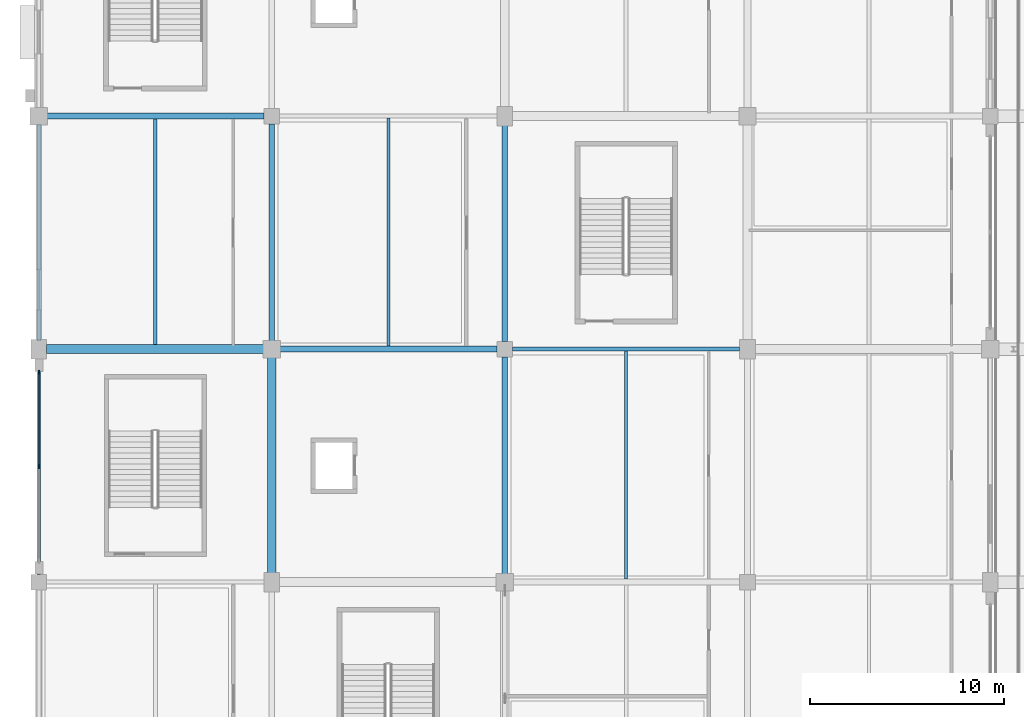
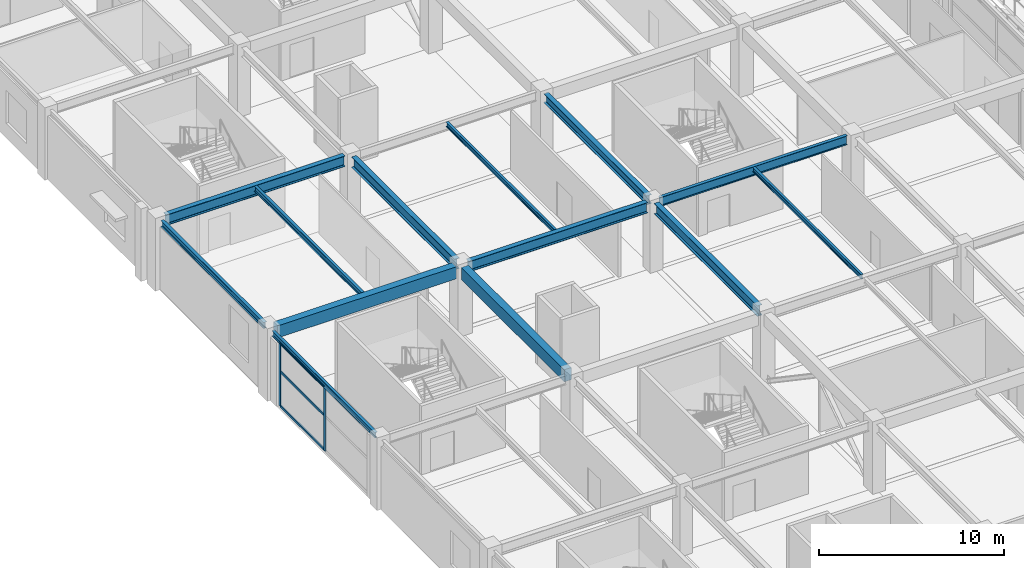
# One storey, part 18 of 134: 13 beams, 5 members, 1 element without a shape of its own.
"""IFC4 building model written with IfcOpenShell, lengths in metres."""

from ifc_helpers import new_model, si_unit, direction, frame, origin, origin_2d, place, context, subcontext, project, spatial, rectangle, i_section, extrude, material, layer, layer_set, material_profile, profile_set, type_object, element, aggregate, save


model = new_model("IFC4")

# Units and contexts
model_context = context("Model", 3, precision=1e-05, world=origin(), true_north=direction((0.0, 1.0)))
body_context = subcontext(model_context, "Body", "Model", "MODEL_VIEW")
ifc_project = project(units=[si_unit("LENGTHUNIT", "METRE"), si_unit("AREAUNIT", "SQUARE_METRE"), si_unit("VOLUMEUNIT", "CUBIC_METRE"), si_unit("PLANEANGLEUNIT", "RADIAN"), si_unit("MASSUNIT", "GRAM", prefix="KILO")], contexts=[model_context])

# Site, building, storey
site_placement = place(None, origin())
site = spatial("IfcSite", under=ifc_project, at=site_placement, CompositionType="ELEMENT")
building_placement = place(site_placement, origin())
building = spatial("IfcBuilding", under=site, at=building_placement, Name="Kazenohara Klinker Stadium", CompositionType="ELEMENT")
storey_placement = place(building_placement, frame((0.0, 0.0, 5.39990234375)))
storey = spatial("IfcBuildingStorey", under=building, at=storey_placement, Name="L01", CompositionType="ELEMENT", Elevation=5.39990234375)

# Beams
ifc_material_1 = material(Name="Steel S355", Category="steel")
ifc_material_profile_1 = material_profile(ifc_material_1, i_section(OverallWidth=0.175048828125, OverallDepth=0.35009765625, WebThickness=0.007080078125, FlangeThickness=0.010986328125, FilletRadius=0.012939453125, at=origin_2d()), Name="H-350x175x7x11")
ifc_profile_set_1 = profile_set([ifc_material_profile_1], Name="Steel S355")
beam_type_1 = type_object("IfcBeamType", Name="BM-JST04", PredefinedType="JOIST", material=ifc_profile_set_1)
beam_1_placement = place(storey_placement, frame((6.0, 72.22509765625, 4.375), z_axis=(0.0, 1.0, 0.0), x_axis=(-1.0, 0.0, 0.0)))
element("IfcBeam", 1, at=beam_1_placement, inside=storey, type_object=beam_type_1, Name="Secondary floor joist SJ04 L01 1/G", PredefinedType="JOIST", context=body_context, shape_type="SweptSolid", body=[
    extrude(i_section(OverallWidth=0.175048828125, OverallDepth=0.35009765625, WebThickness=0.007080078125, FlangeThickness=0.010986328125, FilletRadius=0.012939453125, at=origin_2d()), origin(), (0.0, 0.0, 1.0), 11.625),
])
ifc_material_profile_2 = material_profile(ifc_material_1, i_section(OverallWidth=0.14990234375, OverallDepth=0.300048828125, WebThickness=0.006591796875, FlangeThickness=0.009033203125, FilletRadius=0.012939453125, at=origin_2d()), Name="H-300x150x6.5x9")
ifc_profile_set_2 = profile_set([ifc_material_profile_2], Name="Steel S355")
beam_type_2 = type_object("IfcBeamType", Name="BM-JST05", PredefinedType="JOIST", material=ifc_profile_set_2)
for number, where, z_axis, x_axis, name in (
    (2, (18.0, 72.14990234375, 4.400146484375), (0.0, 1.0, 0.0), (-1.0, 0.0, 0.0), "Secondary floor joist SJ05 L01 2/G"),
    (3, (30.25, 60.14990234375, 4.400146484375), (0.0, 1.0, 0.0), (-1.0, 0.0, 0.0), "Secondary floor joist SJ05 L01 3/F"),
):
    element("IfcBeam", number, at=place(storey_placement, frame(where, z_axis=z_axis, x_axis=x_axis)), inside=storey, type_object=beam_type_2, Name=name, PredefinedType="JOIST", context=body_context, shape_type="SweptSolid", body=[
        extrude(i_section(OverallWidth=0.14990234375, OverallDepth=0.300048828125, WebThickness=0.006591796875, FlangeThickness=0.009033203125, FilletRadius=0.012939453125, at=origin_2d()), origin(), (0.0, 0.0, 1.0), 11.75),
    ])
ifc_material_2 = material(Name="Concrete C40/50", Category="concrete")
ifc_material_profile_3 = material_profile(ifc_material_2, rectangle(XDim=0.449951171875, YDim=0.800048828125, at=origin_2d()), Name="RC-BM-450x800")
ifc_profile_set_3 = profile_set([ifc_material_profile_3], Name="Concrete C40/50")
beam_type_3 = type_object("IfcBeamType", Name="BM-RC03", PredefinedType="BEAM", material=ifc_profile_set_3)
beam_2_placement = place(storey_placement, frame((0.39990234375, 72.0, 4.150146484375), z_axis=(1.0, 0.0, 0.0), x_axis=(0.0, 1.0, 0.0)))
element("IfcBeam", 4, at=beam_2_placement, inside=storey, type_object=beam_type_3, Name="Primary girder BG03 L01 1-2/G", PredefinedType="BEAM", context=body_context, shape_type="SweptSolid", body=[
    extrude(rectangle(XDim=0.449951171875, YDim=0.800048828125, at=origin_2d()), origin(), (0.0, 0.0, 1.0), 11.18017578125),
])
beam_3_placement = place(storey_placement, frame((12.0, 60.419921875, 4.150146484375), z_axis=(0.0, 1.0, 0.0), x_axis=(-1.0, 0.0, 0.0)))
element("IfcBeam", 5, at=beam_3_placement, inside=storey, type_object=beam_type_3, Name="Primary girder BG03 L01 2/F-G", PredefinedType="BEAM", context=body_context, shape_type="SweptSolid", body=[
    extrude(rectangle(XDim=0.449951171875, YDim=0.800048828125, at=origin_2d()), origin(), (0.0, 0.0, 1.0), 11.16015625),
])
ifc_material_profile_4 = material_profile(ifc_material_1, i_section(OverallWidth=0.199951171875, OverallDepth=0.39990234375, WebThickness=0.008056640625, FlangeThickness=0.012939453125, FilletRadius=0.012939453125, at=origin_2d()), Name="H-400x200x8x13")
ifc_profile_set_4 = profile_set([ifc_material_profile_4], Name="Steel S355")
beam_type_4 = type_object("IfcBeamType", Name="BM-SPD01", PredefinedType="SPANDREL", material=ifc_profile_set_4)
beam_4_placement = place(storey_placement, frame((0.0, 72.419921875, 4.35009765625), z_axis=(0.0, 1.0, 0.0), x_axis=(-1.0, 0.0, 0.0)))
element("IfcBeam", 6, at=beam_4_placement, inside=storey, type_object=beam_type_4, Name="Primary girder SP01 L01 1/G-H", PredefinedType="SPANDREL", context=body_context, shape_type="SweptSolid", body=[
    extrude(i_section(OverallWidth=0.199951171875, OverallDepth=0.39990234375, WebThickness=0.008056640625, FlangeThickness=0.012939453125, FilletRadius=0.012939453125, at=origin_2d()), origin(), (0.0, 0.0, 1.0), 11.16015625),
])
ifc_material_profile_5 = material_profile(ifc_material_1, i_section(OverallWidth=0.175048828125, OverallDepth=0.35009765625, WebThickness=0.007080078125, FlangeThickness=0.010986328125, FilletRadius=0.012939453125, at=origin_2d()), Name="H-350x175x7x11")
ifc_profile_set_5 = profile_set([ifc_material_profile_5], Name="Steel S355")
beam_type_5 = type_object("IfcBeamType", Name="BM-SPD02", PredefinedType="SPANDREL", material=ifc_profile_set_5)
beam_5_placement = place(storey_placement, frame((0.0, 60.39990234375, 4.375), z_axis=(0.0, 1.0, 0.0), x_axis=(-1.0, 0.0, 0.0)))
element("IfcBeam", 7, at=beam_5_placement, inside=storey, type_object=beam_type_5, Name="Primary girder SP02 L01 1/F-G", PredefinedType="SPANDREL", context=body_context, shape_type="SweptSolid", body=[
    extrude(i_section(OverallWidth=0.175048828125, OverallDepth=0.35009765625, WebThickness=0.007080078125, FlangeThickness=0.010986328125, FilletRadius=0.012939453125, at=origin_2d()), origin(), (0.0, 0.0, 1.0), 11.18017578125),
])
ifc_material_profile_6 = material_profile(ifc_material_1, i_section(OverallWidth=0.300048828125, OverallDepth=0.699951171875, WebThickness=0.012939453125, FlangeThickness=0.02392578125, FilletRadius=0.02197265625, at=origin_2d()), Name="H-700x300x13x24")
ifc_profile_set_6 = profile_set([ifc_material_profile_6], Name="Steel S355")
beam_type_6 = type_object("IfcBeamType", Name="BM-ST03", PredefinedType="BEAM", material=ifc_profile_set_6)
for number, where, z_axis, x_axis, name in (
    (8, (0.419921875, 84.0, 4.2001953125), (1.0, 0.0, 0.0), (0.0, 1.0, 0.0), "Primary girder SB03 L01 1-2/H"),
    (9, (12.419921875, 72.0, 4.2001953125), (1.0, 0.0, 0.0), (0.0, 1.0, 0.0), "Primary girder SB03 L01 2-3/G"),
    (10, (12.0, 72.419921875, 4.2001953125), (0.0, 1.0, 0.0), (-1.0, 0.0, 0.0), "Primary girder SB03 L01 2/G-H"),
    (11, (24.0, 60.419921875, 4.2001953125), (0.0, 1.0, 0.0), (-1.0, 0.0, 0.0), "Primary girder SB03 L01 3/F-G"),
):
    element("IfcBeam", number, at=place(storey_placement, frame(where, z_axis=z_axis, x_axis=x_axis)), inside=storey, type_object=beam_type_6, Name=name, PredefinedType="BEAM", context=body_context, shape_type="SweptSolid", body=[
        extrude(i_section(OverallWidth=0.300048828125, OverallDepth=0.699951171875, WebThickness=0.012939453125, FlangeThickness=0.02392578125, FilletRadius=0.02197265625, at=origin_2d()), origin(), (0.0, 0.0, 1.0), 11.18017578125),
    ])
ifc_material_profile_7 = material_profile(ifc_material_1, i_section(OverallWidth=0.199951171875, OverallDepth=0.60009765625, WebThickness=0.010986328125, FlangeThickness=0.01708984375, FilletRadius=0.012939453125, at=origin_2d()), Name="H-600x200x11x17")
ifc_profile_set_7 = profile_set([ifc_material_profile_7], Name="Steel S355")
beam_type_7 = type_object("IfcBeamType", Name="BM-ST04", PredefinedType="BEAM", material=ifc_profile_set_7)
beam_6_placement = place(storey_placement, frame((24.39990234375, 72.0, 4.25), z_axis=(1.0, 0.0, 0.0), x_axis=(0.0, 1.0, 0.0)))
element("IfcBeam", 12, at=beam_6_placement, inside=storey, type_object=beam_type_7, Name="Primary girder SB04 L01 3-4/G", PredefinedType="BEAM", context=body_context, shape_type="SweptSolid", body=[
    extrude(i_section(OverallWidth=0.199951171875, OverallDepth=0.60009765625, WebThickness=0.010986328125, FlangeThickness=0.01708984375, FilletRadius=0.012939453125, at=origin_2d()), origin(), (0.0, 0.0, 1.0), 11.7001953125),
])
ifc_material_profile_8 = material_profile(ifc_material_1, i_section(OverallWidth=0.300048828125, OverallDepth=0.587890625, WebThickness=0.011962890625, FlangeThickness=0.02001953125, FilletRadius=0.02197265625, at=origin_2d()), Name="H-588x300x12x20")
ifc_profile_set_8 = profile_set([ifc_material_profile_8], Name="Steel S355")
beam_type_8 = type_object("IfcBeamType", Name="BM-ST05", PredefinedType="BEAM", material=ifc_profile_set_8)
beam_7_placement = place(storey_placement, frame((24.0, 72.39990234375, 4.256103515625), z_axis=(0.0, 1.0, 0.0), x_axis=(-1.0, 0.0, 0.0)))
element("IfcBeam", 13, at=beam_7_placement, inside=storey, type_object=beam_type_8, Name="Primary girder SB05 L01 3/G-H", PredefinedType="BEAM", context=body_context, shape_type="SweptSolid", body=[
    extrude(i_section(OverallWidth=0.300048828125, OverallDepth=0.587890625, WebThickness=0.011962890625, FlangeThickness=0.02001953125, FilletRadius=0.02197265625, at=origin_2d()), origin(), (0.0, 0.0, 1.0), 11.18017578125),
])

# Curtain wall, members
ifc_material_3 = material(Name="Anodised aluminium and triple glazing", Category="aluminium")
ifc_layer = layer(ifc_material_3, 0.179931640625)
ifc_layer_set = layer_set([ifc_layer], Name="Anodised aluminium and triple glazing")
curtain_wall_type = type_object("IfcCurtainWallType", Name="CW-SYS-02", PredefinedType="USERDEFINED", material=ifc_layer_set)
curtain_wall_placement = place(storey_placement, origin())
curtain_wall = element("IfcCurtainWall", 14, at=curtain_wall_placement, inside=storey, type_object=curtain_wall_type, Name="Unitised facade curtain wall CW02 L01 Y0-5", ObjectType="UNITISED CURTAIN WALL", PredefinedType="USERDEFINED")
ifc_material_4 = material(Name="Anodised aluminium 6063-T6", Category="aluminium")
ifc_material_profile_9 = material_profile(ifc_material_4, rectangle(XDim=0.074951171875, YDim=0.219970703125, at=origin_2d()), Name="ALU-MUL-75x220")
ifc_profile_set_9 = profile_set([ifc_material_profile_9], Name="Anodised aluminium 6063-T6")
member_type_1 = type_object("IfcMemberType", Name="CW-MUL-220", PredefinedType="MULLION", material=ifc_profile_set_9)
member_1_placement = place(storey_placement, frame((0.0, 65.949951171875, 0.0), z_axis=(0.0, 0.0, 1.0), x_axis=(-1.0, 0.0, 0.0)))
member_1 = element("IfcMember", 15, at=member_1_placement, type_object=member_type_1, Name="CW02 mullion 2", PredefinedType="MULLION", context=body_context, shape_type="SweptSolid", body=[
    extrude(rectangle(XDim=0.074951171875, YDim=0.219970703125, at=origin_2d()), origin(), (0.0, 0.0, 1.0), 4.2001953125),
])
member_2_placement = place(storey_placement, frame((0.0, 70.80859375, 0.0), z_axis=(0.0, 0.0, 1.0), x_axis=(-1.0, 0.0, 0.0)))
member_2 = element("IfcMember", 16, at=member_2_placement, type_object=member_type_1, Name="CW02 mullion 3", PredefinedType="MULLION", context=body_context, shape_type="SweptSolid", body=[
    extrude(rectangle(XDim=0.074951171875, YDim=0.219970703125, at=origin_2d()), origin(), (0.0, 0.0, 1.0), 4.2001953125),
])
ifc_material_profile_10 = material_profile(ifc_material_4, rectangle(XDim=0.074951171875, YDim=0.159912109375, at=origin_2d()), Name="ALU-TRN-75x160")
ifc_profile_set_10 = profile_set([ifc_material_profile_10], Name="Anodised aluminium 6063-T6")
member_type_2 = type_object("IfcMemberType", Name="CW-TRN-160", PredefinedType="USERDEFINED", material=ifc_profile_set_10)
member_3_placement = place(storey_placement, frame((0.0, 65.987548828125, 0.03759765625), z_axis=(0.0, 1.0, 0.0), x_axis=(-1.0, 0.0, 0.0)))
member_3 = element("IfcMember", 17, at=member_3_placement, type_object=member_type_2, Name="CW02 transom 2.1", ObjectType="TRANSOM", PredefinedType="USERDEFINED", context=body_context, shape_type="SweptSolid", body=[
    extrude(rectangle(XDim=0.074951171875, YDim=0.159912109375, at=origin_2d()), origin(), (0.0, 0.0, 1.0), 4.783447265625),
])
member_4_placement = place(storey_placement, frame((0.0, 65.987548828125, 2.31005859375), z_axis=(0.0, 1.0, 0.0), x_axis=(-1.0, 0.0, 0.0)))
member_4 = element("IfcMember", 18, at=member_4_placement, type_object=member_type_2, Name="CW02 transom 2.2", ObjectType="TRANSOM", PredefinedType="USERDEFINED", context=body_context, shape_type="SweptSolid", body=[
    extrude(rectangle(XDim=0.074951171875, YDim=0.159912109375, at=origin_2d()), origin(), (0.0, 0.0, 1.0), 4.783447265625),
])
member_5_placement = place(storey_placement, frame((0.0, 65.987548828125, 4.16259765625), z_axis=(0.0, 1.0, 0.0), x_axis=(-1.0, 0.0, 0.0)))
member_5 = element("IfcMember", 19, at=member_5_placement, type_object=member_type_2, Name="CW02 transom 2.3", ObjectType="TRANSOM", PredefinedType="USERDEFINED", context=body_context, shape_type="SweptSolid", body=[
    extrude(rectangle(XDim=0.074951171875, YDim=0.159912109375, at=origin_2d()), origin(), (0.0, 0.0, 1.0), 4.783447265625),
])
aggregate(curtain_wall, [member_1, member_2, member_3, member_4, member_5])

save(model, "model.ifc")
